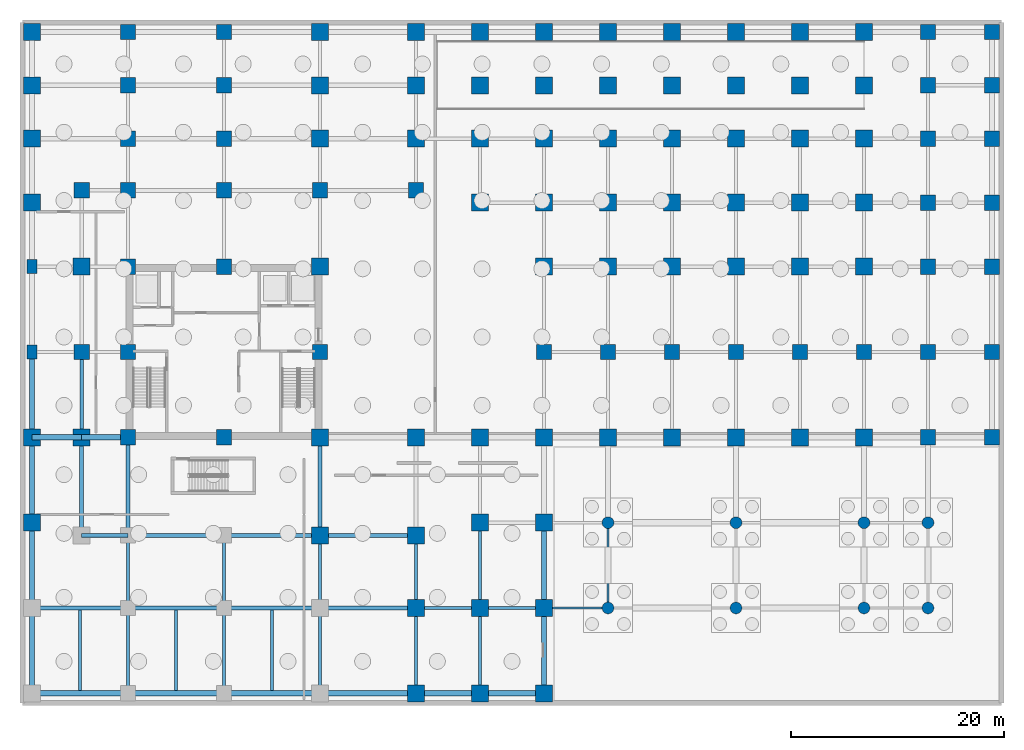
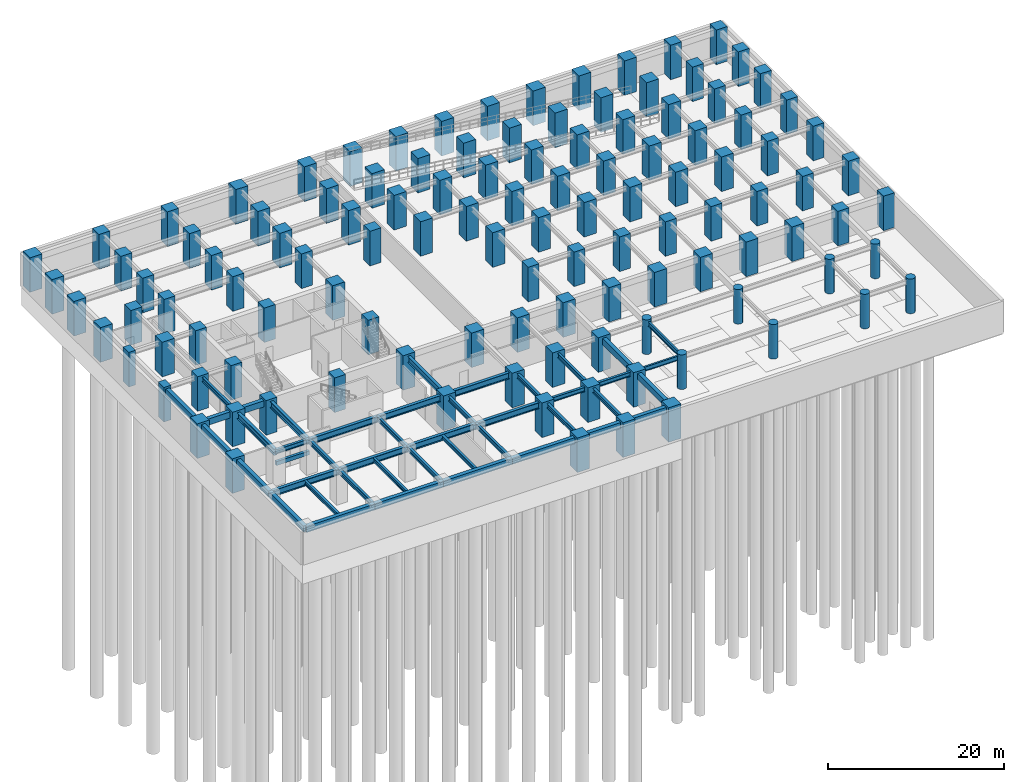
# One storey, part 2 of 11: 116 columns, 44 beams.
"""IFC4 building model written with IfcOpenShell, lengths in metres."""

from ifc_helpers import new_model, si_unit, direction, frame, origin, origin_2d, place, context, subcontext, project, spatial, rectangle, circle, i_section, extrude, source, transform, mapped, material, material_profile, profile_set, type_object, element, save


model = new_model("IFC4")

# Units and contexts
model_context = context("Model", 3, precision=1e-05, world=origin(), true_north=direction((0.0, 1.0)))
body_context = subcontext(model_context, "Body", "Model", "MODEL_VIEW")
ifc_project = project(units=[si_unit("LENGTHUNIT", "METRE"), si_unit("AREAUNIT", "SQUARE_METRE"), si_unit("VOLUMEUNIT", "CUBIC_METRE"), si_unit("PLANEANGLEUNIT", "RADIAN"), si_unit("MASSUNIT", "GRAM", prefix="KILO")], contexts=[model_context])

# Site, building, storey
site_placement = place(None, origin())
site = spatial("IfcSite", under=ifc_project, at=site_placement, CompositionType="ELEMENT")
building_placement = place(site_placement, origin())
building = spatial("IfcBuilding", under=site, at=building_placement, Name="Torre Montelarca", CompositionType="ELEMENT")
storey_placement = place(building_placement, frame((0.0, 0.0, -9.60009765625)))
storey = spatial("IfcBuildingStorey", under=building, at=storey_placement, Name="B2", CompositionType="ELEMENT", Elevation=-9.60009765625)

# Columns
ifc_material_1 = material(Name="Concrete C70/85", Category="concrete")
ifc_material_profile_1 = material_profile(ifc_material_1, rectangle(XDim=1.60009765625, YDim=1.60009765625, at=origin_2d()), Name="RC1600X1600", Category="concrete")
ifc_profile_set_1 = profile_set([ifc_material_profile_1], Name="Concrete C70/85")
column_type_1 = type_object("IfcColumnType", Name="COL-RC1600-EXT", PredefinedType="COLUMN", material=ifc_profile_set_1)
shared_shape_1 = source(origin(), body_context, "Body", "SweptSolid", [
    extrude(rectangle(XDim=1.60009765625, YDim=1.60009765625, at=origin_2d()), origin(), (0.0, 0.0, 1.0), 4.79931640625),
])
for number, where, z_axis, x_axis, name in (
    (1, (0.0, 16.0, 0.0), (0.0, 0.0, 1.0), (1.0, 0.0, 0.0), "B2 Perimeter Mega Column 1/C"),
    (2, (0.0, 24.0, 0.0), (0.0, 0.0, 1.0), (1.0, 0.0, 0.0), "B2 Perimeter Mega Column 1/D"),
    (3, (0.0, 46.0, 0.0), (0.0, 0.0, 1.0), (1.0, 0.0, 0.0), "B2 Perimeter Mega Column 1/G"),
    (4, (0.0, 52.0, 0.0), (0.0, 0.0, 1.0), (1.0, 0.0, 0.0), "B2 Perimeter Mega Column 1/H"),
    (5, (0.0, 57.0, 0.0), (0.0, 0.0, 1.0), (1.0, 0.0, 0.0), "B2 Perimeter Mega Column 1/J"),
    (6, (0.0, 62.0, 0.0), (0.0, 0.0, 1.0), (1.0, 0.0, 0.0), "B2 Perimeter Mega Column 1/K"),
    (7, (27.0, 62.0, 0.0), (0.0, 0.0, 1.0), (1.0, 0.0, 0.0), "B2 Perimeter Mega Column 4/K"),
    (8, (36.0, 0.0, 0.0), (0.0, 0.0, 1.0), (1.0, 0.0, 0.0), "B2 Perimeter Mega Column 5/A"),
    (9, (36.0, 62.0, 0.0), (0.0, 0.0, 1.0), (1.0, 0.0, 0.0), "B2 Perimeter Mega Column 5/K"),
    (10, (42.0, 0.0, 0.0), (0.0, 0.0, 1.0), (1.0, 0.0, 0.0), "B2 Perimeter Mega Column 6/A"),
    (11, (42.0, 62.0, 0.0), (0.0, 0.0, 1.0), (1.0, 0.0, 0.0), "B2 Perimeter Mega Column 6/K"),
    (12, (48.0, 0.0, 0.0), (0.0, 0.0, 1.0), (1.0, 0.0, 0.0), "B2 Perimeter Mega Column 7/A"),
    (13, (48.0, 62.0, 0.0), (0.0, 0.0, 1.0), (1.0, 0.0, 0.0), "B2 Perimeter Mega Column 7/K"),
    (14, (54.0, 62.0, 0.0), (0.0, 0.0, 1.0), (1.0, 0.0, 0.0), "B2 Perimeter Mega Column 8/K"),
    (15, (60.0, 62.0, 0.0), (0.0, 0.0, 1.0), (1.0, 0.0, 0.0), "B2 Perimeter Mega Column 9/K"),
    (16, (66.0, 62.0, 0.0), (0.0, 0.0, 1.0), (1.0, 0.0, 0.0), "B2 Perimeter Mega Column 10/K"),
    (17, (72.0, 62.0, 0.0), (0.0, 0.0, 1.0), (1.0, 0.0, 0.0), "B2 Perimeter Mega Column 11/K"),
    (18, (78.0, 62.0, 0.0), (0.0, 0.0, 1.0), (1.0, 0.0, 0.0), "B2 Perimeter Mega Column 12/K"),
):
    element("IfcColumn", number, at=place(storey_placement, frame(where, z_axis=z_axis, x_axis=x_axis)), inside=storey, type_object=column_type_1, Name=name, PredefinedType="COLUMN", context=body_context, shape_type="MappedRepresentation", body=[
        mapped(shared_shape_1, transform((0.0, 0.0, 0.0), scale=1.0)),
    ])
ifc_material_2 = material(Name="Concrete C55/67", Category="concrete")
ifc_material_profile_2 = material_profile(ifc_material_2, rectangle(XDim=0.89990234375, YDim=1.300048828125, at=origin_2d()), Name="RC1300X900", Category="concrete")
ifc_profile_set_2 = profile_set([ifc_material_profile_2], Name="Concrete C55/67")
column_type_2 = type_object("IfcColumnType", Name="COL-PIL1300-EXT", PredefinedType="PILASTER", material=ifc_profile_set_2)
shared_shape_2 = source(origin(), body_context, "Body", "SweptSolid", [
    extrude(rectangle(XDim=0.89990234375, YDim=1.300048828125, at=origin_2d()), origin(), (0.0, 0.0, 1.0), 4.79931640625),
])
for number, where, z_axis, x_axis, name in (
    (19, (0.0, 32.0, 0.0), (0.0, 0.0, 1.0), (1.0, 0.0, 0.0), "B2 Column 1/E"),
    (20, (0.0, 40.0, 0.0), (0.0, 0.0, 1.0), (1.0, 0.0, 0.0), "B2 Column 1/F"),
):
    element("IfcColumn", number, at=place(storey_placement, frame(where, z_axis=z_axis, x_axis=x_axis)), inside=storey, type_object=column_type_2, Name=name, PredefinedType="PILASTER", context=body_context, shape_type="MappedRepresentation", body=[
        mapped(shared_shape_2, transform((0.0, 0.0, 0.0), scale=1.0)),
    ])
ifc_material_profile_3 = material_profile(ifc_material_1, rectangle(XDim=1.449951171875, YDim=1.449951171875, at=origin_2d()), Name="RC1450X1450", Category="concrete")
ifc_profile_set_3 = profile_set([ifc_material_profile_3], Name="Concrete C70/85")
column_type_3 = type_object("IfcColumnType", Name="COL-RC1450-EXT", PredefinedType="COLUMN", material=ifc_profile_set_3)
shared_shape_3 = source(origin(), body_context, "Body", "SweptSolid", [
    extrude(rectangle(XDim=1.449951171875, YDim=1.449951171875, at=origin_2d()), origin(), (0.0, 0.0, 1.0), 4.79931640625),
])
for number, where, z_axis, x_axis, name in (
    (21, (9.0, 62.0, 0.0), (0.0, 0.0, 1.0), (1.0, 0.0, 0.0), "B2 Perimeter Mega Column 2/K"),
    (22, (18.0, 62.0, 0.0), (0.0, 0.0, 1.0), (1.0, 0.0, 0.0), "B2 Perimeter Mega Column 3/K"),
    (23, (84.0, 62.0, 0.0), (0.0, 0.0, 1.0), (1.0, 0.0, 0.0), "B2 Perimeter Mega Column 13/K"),
    (24, (90.0, 24.0, 0.0), (0.0, 0.0, 1.0), (1.0, 0.0, 0.0), "B2 Perimeter Mega Column 14/D"),
    (25, (90.0, 32.0, 0.0), (0.0, 0.0, 1.0), (1.0, 0.0, 0.0), "B2 Perimeter Mega Column 14/E"),
    (26, (90.0, 40.0, 0.0), (0.0, 0.0, 1.0), (1.0, 0.0, 0.0), "B2 Perimeter Mega Column 14/F"),
    (27, (90.0, 46.0, 0.0), (0.0, 0.0, 1.0), (1.0, 0.0, 0.0), "B2 Perimeter Mega Column 14/G"),
    (28, (90.0, 52.0, 0.0), (0.0, 0.0, 1.0), (1.0, 0.0, 0.0), "B2 Perimeter Mega Column 14/H"),
    (29, (90.0, 57.0, 0.0), (0.0, 0.0, 1.0), (1.0, 0.0, 0.0), "B2 Perimeter Mega Column 14/J"),
    (30, (90.0, 62.0, 0.0), (0.0, 0.0, 1.0), (1.0, 0.0, 0.0), "B2 Perimeter Mega Column 14/K"),
):
    element("IfcColumn", number, at=place(storey_placement, frame(where, z_axis=z_axis, x_axis=x_axis)), inside=storey, type_object=column_type_3, Name=name, PredefinedType="COLUMN", context=body_context, shape_type="MappedRepresentation", body=[
        mapped(shared_shape_3, transform((0.0, 0.0, 0.0), scale=1.0)),
    ])
ifc_material_profile_4 = material_profile(ifc_material_1, rectangle(XDim=1.449951171875, YDim=1.449951171875, at=origin_2d()), Name="RC1450X1450", Category="concrete")
ifc_profile_set_4 = profile_set([ifc_material_profile_4], Name="Concrete C70/85")
column_type_4 = type_object("IfcColumnType", Name="COL-RC1450", PredefinedType="COLUMN", material=ifc_profile_set_4)
shared_shape_4 = source(origin(), body_context, "Body", "SweptSolid", [
    extrude(rectangle(XDim=1.449951171875, YDim=1.449951171875, at=origin_2d()), origin(), (0.0, 0.0, 1.0), 4.79931640625),
])
for number, where, z_axis, x_axis, name in (
    (31, (9.0, 24.0, 0.0), (0.0, 0.0, 1.0), (1.0, 0.0, 0.0), "B2 Column 2/D"),
    (32, (9.0, 32.0, 0.0), (0.0, 0.0, 1.0), (1.0, 0.0, 0.0), "B2 Column 2/E"),
    (33, (9.0, 40.0, 0.0), (0.0, 0.0, 1.0), (1.0, 0.0, 0.0), "B2 Column 2/F"),
    (34, (9.0, 52.0, 0.0), (0.0, 0.0, 1.0), (1.0, 0.0, 0.0), "B2 Column 2/H"),
    (35, (9.0, 57.0, 0.0), (0.0, 0.0, 1.0), (1.0, 0.0, 0.0), "B2 Column 2/J"),
    (36, (9.0, 47.14990234375, 0.0), (0.0, 0.0, 1.0), (1.0, 0.0, 0.0), "B2 Column 2/GN"),
    (37, (18.0, 24.0, 0.0), (0.0, 0.0, 1.0), (1.0, 0.0, 0.0), "B2 Column 3/D"),
    (38, (18.0, 40.0, 0.0), (0.0, 0.0, 1.0), (1.0, 0.0, 0.0), "B2 Column 3/F"),
    (39, (18.0, 52.0, 0.0), (0.0, 0.0, 1.0), (1.0, 0.0, 0.0), "B2 Column 3/H"),
    (40, (18.0, 57.0, 0.0), (0.0, 0.0, 1.0), (1.0, 0.0, 0.0), "B2 Column 3/J"),
    (41, (18.0, 47.14990234375, 0.0), (0.0, 0.0, 1.0), (1.0, 0.0, 0.0), "B2 Column 3/GN"),
    (42, (27.0, 32.0, 0.0), (0.0, 0.0, 1.0), (1.0, 0.0, 0.0), "B2 Column 4/E"),
    (43, (27.0, 47.14990234375, 0.0), (0.0, 0.0, 1.0), (1.0, 0.0, 0.0), "B2 Column 4/GN"),
    (44, (36.0, 47.14990234375, 0.0), (0.0, 0.0, 1.0), (1.0, 0.0, 0.0), "B2 Column 5/GN"),
    (45, (48.0, 32.0, 0.0), (0.0, 0.0, 1.0), (1.0, 0.0, 0.0), "B2 Column 7/E"),
    (46, (54.0, 32.0, 0.0), (0.0, 0.0, 1.0), (1.0, 0.0, 0.0), "B2 Column 8/E"),
    (47, (60.0, 32.0, 0.0), (0.0, 0.0, 1.0), (1.0, 0.0, 0.0), "B2 Column 9/E"),
    (48, (66.0, 32.0, 0.0), (0.0, 0.0, 1.0), (1.0, 0.0, 0.0), "B2 Column 10/E"),
    (49, (72.0, 32.0, 0.0), (0.0, 0.0, 1.0), (1.0, 0.0, 0.0), "B2 Column 11/E"),
    (50, (78.0, 32.0, 0.0), (0.0, 0.0, 1.0), (1.0, 0.0, 0.0), "B2 Column 12/E"),
    (51, (84.0, 24.0, 0.0), (0.0, 0.0, 1.0), (1.0, 0.0, 0.0), "B2 Column 13/D"),
    (52, (84.0, 32.0, 0.0), (0.0, 0.0, 1.0), (1.0, 0.0, 0.0), "B2 Column 13/E"),
    (53, (84.0, 40.0, 0.0), (0.0, 0.0, 1.0), (1.0, 0.0, 0.0), "B2 Column 13/F"),
    (54, (84.0, 46.0, 0.0), (0.0, 0.0, 1.0), (1.0, 0.0, 0.0), "B2 Column 13/G"),
    (55, (84.0, 52.0, 0.0), (0.0, 0.0, 1.0), (1.0, 0.0, 0.0), "B2 Column 13/H"),
    (56, (84.0, 57.0, 0.0), (0.0, 0.0, 1.0), (1.0, 0.0, 0.0), "B2 Column 13/J"),
    (57, (4.64990234375, 32.0, 0.0), (0.0, 0.0, 1.0), (1.0, 0.0, 0.0), "B2 Column 1W/E"),
    (58, (4.64990234375, 47.14990234375, 0.0), (0.0, 0.0, 1.0), (1.0, 0.0, 0.0), "B2 Column 1W/GN"),
):
    element("IfcColumn", number, at=place(storey_placement, frame(where, z_axis=z_axis, x_axis=x_axis)), inside=storey, type_object=column_type_4, Name=name, PredefinedType="COLUMN", context=body_context, shape_type="MappedRepresentation", body=[
        mapped(shared_shape_4, transform((0.0, 0.0, 0.0), scale=1.0)),
    ])
ifc_material_profile_5 = material_profile(ifc_material_1, rectangle(XDim=1.60009765625, YDim=1.60009765625, at=origin_2d()), Name="RC1600X1600", Category="concrete")
ifc_profile_set_5 = profile_set([ifc_material_profile_5], Name="Concrete C70/85")
column_type_5 = type_object("IfcColumnType", Name="COL-RC1600", PredefinedType="COLUMN", material=ifc_profile_set_5)
shared_shape_5 = source(origin(), body_context, "Body", "SweptSolid", [
    extrude(rectangle(XDim=1.60009765625, YDim=1.60009765625, at=origin_2d()), origin(), (0.0, 0.0, 1.0), 4.79931640625),
])
for number, where, z_axis, x_axis, name in (
    (59, (27.0, 24.0, 0.0), (0.0, 0.0, 1.0), (1.0, 0.0, 0.0), "B2 Column 4/D"),
    (60, (27.0, 40.0, 0.0), (0.0, 0.0, 1.0), (1.0, 0.0, 0.0), "B2 Column 4/F"),
    (61, (27.0, 52.0, 0.0), (0.0, 0.0, 1.0), (1.0, 0.0, 0.0), "B2 Column 4/H"),
    (62, (27.0, 57.0, 0.0), (0.0, 0.0, 1.0), (1.0, 0.0, 0.0), "B2 Column 4/J"),
    (63, (27.0, 14.800048828125, 0.0), (0.0, 0.0, 1.0), (1.0, 0.0, 0.0), "B2 Column 4/CS"),
    (64, (36.0, 8.0, 0.0), (0.0, 0.0, 1.0), (1.0, 0.0, 0.0), "B2 Column 5/B"),
    (65, (36.0, 24.0, 0.0), (0.0, 0.0, 1.0), (1.0, 0.0, 0.0), "B2 Column 5/D"),
    (66, (36.0, 52.0, 0.0), (0.0, 0.0, 1.0), (1.0, 0.0, 0.0), "B2 Column 5/H"),
    (67, (36.0, 57.0, 0.0), (0.0, 0.0, 1.0), (1.0, 0.0, 0.0), "B2 Column 5/J"),
    (68, (36.0, 14.800048828125, 0.0), (0.0, 0.0, 1.0), (1.0, 0.0, 0.0), "B2 Column 5/CS"),
    (69, (42.0, 8.0, 0.0), (0.0, 0.0, 1.0), (1.0, 0.0, 0.0), "B2 Column 6/B"),
    (70, (42.0, 16.0, 0.0), (0.0, 0.0, 1.0), (1.0, 0.0, 0.0), "B2 Column 6/C"),
    (71, (42.0, 24.0, 0.0), (0.0, 0.0, 1.0), (1.0, 0.0, 0.0), "B2 Column 6/D"),
    (72, (42.0, 46.0, 0.0), (0.0, 0.0, 1.0), (1.0, 0.0, 0.0), "B2 Column 6/G"),
    (73, (42.0, 52.0, 0.0), (0.0, 0.0, 1.0), (1.0, 0.0, 0.0), "B2 Column 6/H"),
    (74, (42.0, 57.0, 0.0), (0.0, 0.0, 1.0), (1.0, 0.0, 0.0), "B2 Column 6/J"),
    (75, (48.0, 8.0, 0.0), (0.0, 0.0, 1.0), (1.0, 0.0, 0.0), "B2 Column 7/B"),
    (76, (48.0, 16.0, 0.0), (0.0, 0.0, 1.0), (1.0, 0.0, 0.0), "B2 Column 7/C"),
    (77, (48.0, 24.0, 0.0), (0.0, 0.0, 1.0), (1.0, 0.0, 0.0), "B2 Column 7/D"),
    (78, (48.0, 40.0, 0.0), (0.0, 0.0, 1.0), (1.0, 0.0, 0.0), "B2 Column 7/F"),
    (79, (48.0, 46.0, 0.0), (0.0, 0.0, 1.0), (1.0, 0.0, 0.0), "B2 Column 7/G"),
    (80, (48.0, 52.0, 0.0), (0.0, 0.0, 1.0), (1.0, 0.0, 0.0), "B2 Column 7/H"),
    (81, (48.0, 57.0, 0.0), (0.0, 0.0, 1.0), (1.0, 0.0, 0.0), "B2 Column 7/J"),
    (82, (54.0, 24.0, 0.0), (0.0, 0.0, 1.0), (1.0, 0.0, 0.0), "B2 Column 8/D"),
    (83, (54.0, 40.0, 0.0), (0.0, 0.0, 1.0), (1.0, 0.0, 0.0), "B2 Column 8/F"),
    (84, (54.0, 46.0, 0.0), (0.0, 0.0, 1.0), (1.0, 0.0, 0.0), "B2 Column 8/G"),
    (85, (54.0, 52.0, 0.0), (0.0, 0.0, 1.0), (1.0, 0.0, 0.0), "B2 Column 8/H"),
    (86, (54.0, 57.0, 0.0), (0.0, 0.0, 1.0), (1.0, 0.0, 0.0), "B2 Column 8/J"),
    (87, (60.0, 24.0, 0.0), (0.0, 0.0, 1.0), (1.0, 0.0, 0.0), "B2 Column 9/D"),
    (88, (60.0, 40.0, 0.0), (0.0, 0.0, 1.0), (1.0, 0.0, 0.0), "B2 Column 9/F"),
    (89, (60.0, 46.0, 0.0), (0.0, 0.0, 1.0), (1.0, 0.0, 0.0), "B2 Column 9/G"),
    (90, (60.0, 52.0, 0.0), (0.0, 0.0, 1.0), (1.0, 0.0, 0.0), "B2 Column 9/H"),
    (91, (60.0, 57.0, 0.0), (0.0, 0.0, 1.0), (1.0, 0.0, 0.0), "B2 Column 9/J"),
    (92, (66.0, 24.0, 0.0), (0.0, 0.0, 1.0), (1.0, 0.0, 0.0), "B2 Column 10/D"),
    (93, (66.0, 40.0, 0.0), (0.0, 0.0, 1.0), (1.0, 0.0, 0.0), "B2 Column 10/F"),
    (94, (66.0, 46.0, 0.0), (0.0, 0.0, 1.0), (1.0, 0.0, 0.0), "B2 Column 10/G"),
    (95, (66.0, 52.0, 0.0), (0.0, 0.0, 1.0), (1.0, 0.0, 0.0), "B2 Column 10/H"),
    (96, (66.0, 57.0, 0.0), (0.0, 0.0, 1.0), (1.0, 0.0, 0.0), "B2 Column 10/J"),
    (97, (72.0, 24.0, 0.0), (0.0, 0.0, 1.0), (1.0, 0.0, 0.0), "B2 Column 11/D"),
    (98, (72.0, 40.0, 0.0), (0.0, 0.0, 1.0), (1.0, 0.0, 0.0), "B2 Column 11/F"),
    (99, (72.0, 46.0, 0.0), (0.0, 0.0, 1.0), (1.0, 0.0, 0.0), "B2 Column 11/G"),
    (100, (72.0, 52.0, 0.0), (0.0, 0.0, 1.0), (1.0, 0.0, 0.0), "B2 Column 11/H"),
    (101, (72.0, 57.0, 0.0), (0.0, 0.0, 1.0), (1.0, 0.0, 0.0), "B2 Column 11/J"),
    (102, (78.0, 24.0, 0.0), (0.0, 0.0, 1.0), (1.0, 0.0, 0.0), "B2 Column 12/D"),
    (103, (78.0, 40.0, 0.0), (0.0, 0.0, 1.0), (1.0, 0.0, 0.0), "B2 Column 12/F"),
    (104, (78.0, 46.0, 0.0), (0.0, 0.0, 1.0), (1.0, 0.0, 0.0), "B2 Column 12/G"),
    (105, (78.0, 52.0, 0.0), (0.0, 0.0, 1.0), (1.0, 0.0, 0.0), "B2 Column 12/H"),
    (106, (78.0, 57.0, 0.0), (0.0, 0.0, 1.0), (1.0, 0.0, 0.0), "B2 Column 12/J"),
    (107, (4.64990234375, 24.0, 0.0), (0.0, 0.0, 1.0), (1.0, 0.0, 0.0), "B2 Column 1W/D"),
    (108, (4.64990234375, 40.0, 0.0), (0.0, 0.0, 1.0), (1.0, 0.0, 0.0), "B2 Column 1W/F"),
):
    element("IfcColumn", number, at=place(storey_placement, frame(where, z_axis=z_axis, x_axis=x_axis)), inside=storey, type_object=column_type_5, Name=name, PredefinedType="COLUMN", context=body_context, shape_type="MappedRepresentation", body=[
        mapped(shared_shape_5, transform((0.0, 0.0, 0.0), scale=1.0)),
    ])
ifc_material_profile_6 = material_profile(ifc_material_2, circle(Radius=0.550048828125, at=origin_2d()), Name="RCC1100", Category="concrete")
ifc_profile_set_6 = profile_set([ifc_material_profile_6], Name="Concrete C55/67")
column_type_6 = type_object("IfcColumnType", Name="COL-PIER1100", PredefinedType="USERDEFINED", material=ifc_profile_set_6)
shared_shape_6 = source(origin(), body_context, "Body", "SweptSolid", [
    extrude(circle(Radius=0.550048828125, at=origin_2d()), origin(), (0.0, 0.0, 1.0), 4.79931640625),
])
for number, where, z_axis, x_axis, name in (
    (109, (54.0, 8.0, 0.0), (0.0, 0.0, 1.0), (1.0, 0.0, 0.0), "B2 Plaza Colonnade Pier P01"),
    (110, (66.0, 8.0, 0.0), (0.0, 0.0, 1.0), (1.0, 0.0, 0.0), "B2 Plaza Colonnade Pier P02"),
    (111, (78.0, 8.0, 0.0), (0.0, 0.0, 1.0), (1.0, 0.0, 0.0), "B2 Plaza Colonnade Pier P03"),
    (112, (84.0, 8.0, 0.0), (0.0, 0.0, 1.0), (1.0, 0.0, 0.0), "B2 Plaza Colonnade Pier P04"),
    (113, (54.0, 16.0, 0.0), (0.0, 0.0, 1.0), (1.0, 0.0, 0.0), "B2 Plaza Colonnade Pier P05"),
    (114, (66.0, 16.0, 0.0), (0.0, 0.0, 1.0), (1.0, 0.0, 0.0), "B2 Plaza Colonnade Pier P06"),
    (115, (78.0, 16.0, 0.0), (0.0, 0.0, 1.0), (1.0, 0.0, 0.0), "B2 Plaza Colonnade Pier P07"),
    (116, (84.0, 16.0, 0.0), (0.0, 0.0, 1.0), (1.0, 0.0, 0.0), "B2 Plaza Colonnade Pier P08"),
):
    element("IfcColumn", number, at=place(storey_placement, frame(where, z_axis=z_axis, x_axis=x_axis)), inside=storey, type_object=column_type_6, Name=name, ObjectType="PIER", PredefinedType="USERDEFINED", context=body_context, shape_type="MappedRepresentation", body=[
        mapped(shared_shape_6, transform((0.0, 0.0, 0.0), scale=1.0)),
    ])

# Beams
ifc_material_profile_7 = material_profile(ifc_material_2, rectangle(XDim=0.5, YDim=0.85009765625, at=origin_2d()), Name="RCB500X850", Category="concrete")
ifc_profile_set_7 = profile_set([ifc_material_profile_7], Name="Concrete C55/67")
beam_type_1 = type_object("IfcBeamType", Name="BM-SP-RC850-EXT", PredefinedType="SPANDREL", material=ifc_profile_set_7)
shared_shape_7 = source(origin(), body_context, "Body", "SweptSolid", [
    extrude(rectangle(XDim=0.5, YDim=0.85009765625, at=origin_2d()), origin(), (0.0, 0.0, 1.0), 9.0),
])
for number, where, z_axis, x_axis, name in (
    (117, (0.0, 0.0, 4.09521484375), (1.0, 0.0, 0.0), (0.0, 1.0, 0.0), "B2 Grid Girder X 0.0-9.0 at Y=0.0"),
    (118, (9.0, 0.0, 4.09521484375), (1.0, 0.0, 0.0), (0.0, 1.0, 0.0), "B2 Grid Girder X 9.0-18.0 at Y=0.0"),
    (119, (18.0, 0.0, 4.09521484375), (1.0, 0.0, 0.0), (0.0, 1.0, 0.0), "B2 Grid Girder X 18.0-27.0 at Y=0.0"),
    (120, (27.0, 0.0, 4.09521484375), (1.0, 0.0, 0.0), (0.0, 1.0, 0.0), "B2 Grid Girder X 27.0-36.0 at Y=0.0"),
):
    element("IfcBeam", number, at=place(storey_placement, frame(where, z_axis=z_axis, x_axis=x_axis)), inside=storey, type_object=beam_type_1, Name=name, PredefinedType="SPANDREL", context=body_context, shape_type="MappedRepresentation", body=[
        mapped(shared_shape_7, transform((0.0, 0.0, 0.0), scale=1.0)),
    ])
shared_shape_8 = source(origin(), body_context, "Body", "SweptSolid", [
    extrude(rectangle(XDim=0.5, YDim=0.85009765625, at=origin_2d()), origin(), (0.0, 0.0, 1.0), 6.0),
])
for number, where, z_axis, x_axis, name in (
    (121, (36.0, 0.0, 4.09521484375), (1.0, 0.0, 0.0), (0.0, 1.0, 0.0), "B2 Grid Girder X 36.0-42.0 at Y=0.0"),
    (122, (42.0, 0.0, 4.09521484375), (1.0, 0.0, 0.0), (0.0, 1.0, 0.0), "B2 Grid Girder X 42.0-48.0 at Y=0.0"),
):
    element("IfcBeam", number, at=place(storey_placement, frame(where, z_axis=z_axis, x_axis=x_axis)), inside=storey, type_object=beam_type_1, Name=name, PredefinedType="SPANDREL", context=body_context, shape_type="MappedRepresentation", body=[
        mapped(shared_shape_8, transform((0.0, 0.0, 0.0), scale=1.0)),
    ])
ifc_material_3 = material(Name="Steel ASTM A992 Grade 50", Category="steel")
ifc_material_profile_8 = material_profile(ifc_material_3, i_section(OverallWidth=0.39990234375, OverallDepth=0.85498046875, WebThickness=0.018310546875, FlangeThickness=0.029296875, FilletRadius=0.02001953125, at=origin_2d()), Name="W840X299", Category="steel")
ifc_profile_set_8 = profile_set([ifc_material_profile_8], Name="Steel ASTM A992 Grade 50")
beam_type_2 = type_object("IfcBeamType", Name="BM-G-W840", PredefinedType="BEAM", material=ifc_profile_set_8)
shared_shape_9 = source(origin(), body_context, "Body", "SweptSolid", [
    extrude(i_section(OverallWidth=0.39990234375, OverallDepth=0.85498046875, WebThickness=0.018310546875, FlangeThickness=0.029296875, FilletRadius=0.02001953125, at=origin_2d()), origin(), (0.0, 0.0, 1.0), 9.0),
])
for number, where, z_axis, x_axis, name in (
    (123, (0.0, 8.0, 4.092041015625), (1.0, 0.0, 0.0), (0.0, 1.0, 0.0), "B2 Grid Girder X 0.0-9.0 at Y=8.0"),
    (124, (9.0, 8.0, 4.092041015625), (1.0, 0.0, 0.0), (0.0, 1.0, 0.0), "B2 Grid Girder X 9.0-18.0 at Y=8.0"),
    (125, (18.0, 8.0, 4.092041015625), (1.0, 0.0, 0.0), (0.0, 1.0, 0.0), "B2 Grid Girder X 18.0-27.0 at Y=8.0"),
    (126, (27.0, 8.0, 4.092041015625), (1.0, 0.0, 0.0), (0.0, 1.0, 0.0), "B2 Grid Girder X 27.0-36.0 at Y=8.0"),
    (127, (9.0, 14.800048828125, 4.092041015625), (1.0, 0.0, 0.0), (0.0, 1.0, 0.0), "B2 Grid Girder X 9.0-18.0 at Y=14.8"),
    (128, (18.0, 14.800048828125, 4.092041015625), (1.0, 0.0, 0.0), (0.0, 1.0, 0.0), "B2 Grid Girder X 18.0-27.0 at Y=14.8"),
    (129, (27.0, 14.800048828125, 4.092041015625), (1.0, 0.0, 0.0), (0.0, 1.0, 0.0), "B2 Grid Girder X 27.0-36.0 at Y=14.8"),
):
    element("IfcBeam", number, at=place(storey_placement, frame(where, z_axis=z_axis, x_axis=x_axis)), inside=storey, type_object=beam_type_2, Name=name, PredefinedType="BEAM", context=body_context, shape_type="MappedRepresentation", body=[
        mapped(shared_shape_9, transform((0.0, 0.0, 0.0), scale=1.0)),
    ])
ifc_material_profile_9 = material_profile(ifc_material_3, i_section(OverallWidth=0.326904296875, OverallDepth=0.6220703125, WebThickness=0.015380859375, FlangeThickness=0.0244140625, FilletRadius=0.014892578125, at=origin_2d()), Name="W610X195", Category="steel")
ifc_profile_set_9 = profile_set([ifc_material_profile_9], Name="Steel ASTM A992 Grade 50")
beam_type_3 = type_object("IfcBeamType", Name="BM-G-W610H", PredefinedType="BEAM", material=ifc_profile_set_9)
shared_shape_10 = source(origin(), body_context, "Body", "SweptSolid", [
    extrude(i_section(OverallWidth=0.326904296875, OverallDepth=0.6220703125, WebThickness=0.015380859375, FlangeThickness=0.0244140625, FilletRadius=0.014892578125, at=origin_2d()), origin(), (0.0, 0.0, 1.0), 6.0),
])
for number, where, z_axis, x_axis, name in (
    (130, (36.0, 8.0, 4.208984375), (1.0, 0.0, 0.0), (0.0, 1.0, 0.0), "B2 Grid Girder X 36.0-42.0 at Y=8.0"),
    (131, (42.0, 8.0, 4.208984375), (1.0, 0.0, 0.0), (0.0, 1.0, 0.0), "B2 Grid Girder X 42.0-48.0 at Y=8.0"),
):
    element("IfcBeam", number, at=place(storey_placement, frame(where, z_axis=z_axis, x_axis=x_axis)), inside=storey, type_object=beam_type_3, Name=name, PredefinedType="BEAM", context=body_context, shape_type="MappedRepresentation", body=[
        mapped(shared_shape_10, transform((0.0, 0.0, 0.0), scale=1.0)),
    ])
ifc_material_profile_10 = material_profile(ifc_material_3, i_section(OverallWidth=0.22998046875, OverallDepth=0.616943359375, WebThickness=0.01318359375, FlangeThickness=0.022216796875, FilletRadius=0.014892578125, at=origin_2d()), Name="W610X140", Category="steel")
ifc_profile_set_10 = profile_set([ifc_material_profile_10], Name="Steel ASTM A992 Grade 50")
beam_type_4 = type_object("IfcBeamType", Name="BM-G-W610", PredefinedType="BEAM", material=ifc_profile_set_10)
shared_shape_11 = source(origin(), body_context, "Body", "SweptSolid", [
    extrude(i_section(OverallWidth=0.22998046875, OverallDepth=0.616943359375, WebThickness=0.01318359375, FlangeThickness=0.022216796875, FilletRadius=0.014892578125, at=origin_2d()), origin(), (0.0, 0.0, 1.0), 6.0),
])
beam_1_placement = place(storey_placement, frame((48.0, 8.0, 4.211181640625), z_axis=(1.0, 0.0, 0.0), x_axis=(0.0, 1.0, 0.0)))
element("IfcBeam", 132, at=beam_1_placement, inside=storey, type_object=beam_type_4, Name="B2 Grid Girder X 48.0-54.0 at Y=8.0", PredefinedType="BEAM", context=body_context, shape_type="MappedRepresentation", body=[
    mapped(shared_shape_11, transform((0.0, 0.0, 0.0), scale=1.0)),
])
shared_shape_12 = source(origin(), body_context, "Body", "SweptSolid", [
    extrude(i_section(OverallWidth=0.326904296875, OverallDepth=0.6220703125, WebThickness=0.015380859375, FlangeThickness=0.0244140625, FilletRadius=0.014892578125, at=origin_2d()), origin(), (0.0, 0.0, 1.0), 4.35009765625),
])
beam_2_placement = place(storey_placement, frame((4.64990234375, 14.800048828125, 4.208984375), z_axis=(1.0, 0.0, 0.0), x_axis=(0.0, 1.0, 0.0)))
element("IfcBeam", 133, at=beam_2_placement, inside=storey, type_object=beam_type_3, Name="B2 Grid Girder X 4.7-9.0 at Y=14.8", PredefinedType="BEAM", context=body_context, shape_type="MappedRepresentation", body=[
    mapped(shared_shape_12, transform((0.0, 0.0, 0.0), scale=1.0)),
])
shared_shape_13 = source(origin(), body_context, "Body", "SweptSolid", [
    extrude(rectangle(XDim=0.5, YDim=0.85009765625, at=origin_2d()), origin(), (0.0, 0.0, 1.0), 4.64990234375),
])
beam_3_placement = place(storey_placement, frame((0.0, 24.0, 4.09521484375), z_axis=(1.0, 0.0, 0.0), x_axis=(0.0, 1.0, 0.0)))
element("IfcBeam", 134, at=beam_3_placement, inside=storey, type_object=beam_type_1, Name="B2 Grid Girder X 0.0-4.7 at Y=24.0", PredefinedType="SPANDREL", context=body_context, shape_type="MappedRepresentation", body=[
    mapped(shared_shape_13, transform((0.0, 0.0, 0.0), scale=1.0)),
])
shared_shape_14 = source(origin(), body_context, "Body", "SweptSolid", [
    extrude(rectangle(XDim=0.5, YDim=0.85009765625, at=origin_2d()), origin(), (0.0, 0.0, 1.0), 4.35009765625),
])
beam_4_placement = place(storey_placement, frame((4.64990234375, 24.0, 4.09521484375), z_axis=(1.0, 0.0, 0.0), x_axis=(0.0, 1.0, 0.0)))
element("IfcBeam", 135, at=beam_4_placement, inside=storey, type_object=beam_type_1, Name="B2 Grid Girder X 4.7-9.0 at Y=24.0", PredefinedType="SPANDREL", context=body_context, shape_type="MappedRepresentation", body=[
    mapped(shared_shape_14, transform((0.0, 0.0, 0.0), scale=1.0)),
])
shared_shape_15 = source(origin(), body_context, "Body", "SweptSolid", [
    extrude(rectangle(XDim=0.5, YDim=0.85009765625, at=origin_2d()), origin(), (0.0, 0.0, 1.0), 8.0),
])
for number, where, z_axis, x_axis, name in (
    (136, (0.0, 0.0, 4.09521484375), (0.0, 1.0, 0.0), (-1.0, 0.0, 0.0), "B2 Grid Girder Y 0.0-8.0 at X=0.0"),
    (137, (0.0, 8.0, 4.09521484375), (0.0, 1.0, 0.0), (-1.0, 0.0, 0.0), "B2 Grid Girder Y 8.0-16.0 at X=0.0"),
    (138, (0.0, 16.0, 4.09521484375), (0.0, 1.0, 0.0), (-1.0, 0.0, 0.0), "B2 Grid Girder Y 16.0-24.0 at X=0.0"),
    (139, (0.0, 24.0, 4.09521484375), (0.0, 1.0, 0.0), (-1.0, 0.0, 0.0), "B2 Grid Girder Y 24.0-32.0 at X=0.0"),
    (140, (48.0, 0.0, 4.09521484375), (0.0, 1.0, 0.0), (-1.0, 0.0, 0.0), "B2 Grid Girder Y 0.0-8.0 at X=48.0"),
    (141, (48.0, 8.0, 4.09521484375), (0.0, 1.0, 0.0), (-1.0, 0.0, 0.0), "B2 Grid Girder Y 8.0-16.0 at X=48.0"),
):
    element("IfcBeam", number, at=place(storey_placement, frame(where, z_axis=z_axis, x_axis=x_axis)), inside=storey, type_object=beam_type_1, Name=name, PredefinedType="SPANDREL", context=body_context, shape_type="MappedRepresentation", body=[
        mapped(shared_shape_15, transform((0.0, 0.0, 0.0), scale=1.0)),
    ])
shared_shape_16 = source(origin(), body_context, "Body", "SweptSolid", [
    extrude(i_section(OverallWidth=0.39990234375, OverallDepth=0.85498046875, WebThickness=0.018310546875, FlangeThickness=0.029296875, FilletRadius=0.02001953125, at=origin_2d()), origin(), (0.0, 0.0, 1.0), 9.199951171875),
])
for number, where, z_axis, x_axis, name in (
    (142, (4.64990234375, 14.800048828125, 4.092041015625), (0.0, 1.0, 0.0), (-1.0, 0.0, 0.0), "B2 Grid Girder Y 14.8-24.0 at X=4.7"),
    (143, (9.0, 14.800048828125, 4.092041015625), (0.0, 1.0, 0.0), (-1.0, 0.0, 0.0), "B2 Grid Girder Y 14.8-24.0 at X=9.0"),
    (144, (27.0, 14.800048828125, 4.092041015625), (0.0, 1.0, 0.0), (-1.0, 0.0, 0.0), "B2 Grid Girder Y 14.8-24.0 at X=27.0"),
):
    element("IfcBeam", number, at=place(storey_placement, frame(where, z_axis=z_axis, x_axis=x_axis)), inside=storey, type_object=beam_type_2, Name=name, PredefinedType="BEAM", context=body_context, shape_type="MappedRepresentation", body=[
        mapped(shared_shape_16, transform((0.0, 0.0, 0.0), scale=1.0)),
    ])
shared_shape_17 = source(origin(), body_context, "Body", "SweptSolid", [
    extrude(i_section(OverallWidth=0.326904296875, OverallDepth=0.6220703125, WebThickness=0.015380859375, FlangeThickness=0.0244140625, FilletRadius=0.014892578125, at=origin_2d()), origin(), (0.0, 0.0, 1.0), 8.0),
])
for number, where, z_axis, x_axis, name in (
    (145, (4.64990234375, 24.0, 4.208984375), (0.0, 1.0, 0.0), (-1.0, 0.0, 0.0), "B2 Grid Girder Y 24.0-32.0 at X=4.7"),
    (146, (9.0, 0.0, 4.208984375), (0.0, 1.0, 0.0), (-1.0, 0.0, 0.0), "B2 Grid Girder Y 0.0-8.0 at X=9.0"),
    (147, (18.0, 0.0, 4.208984375), (0.0, 1.0, 0.0), (-1.0, 0.0, 0.0), "B2 Grid Girder Y 0.0-8.0 at X=18.0"),
    (148, (27.0, 0.0, 4.208984375), (0.0, 1.0, 0.0), (-1.0, 0.0, 0.0), "B2 Grid Girder Y 0.0-8.0 at X=27.0"),
    (149, (36.0, 0.0, 4.208984375), (0.0, 1.0, 0.0), (-1.0, 0.0, 0.0), "B2 Grid Girder Y 0.0-8.0 at X=36.0"),
    (150, (42.0, 0.0, 4.208984375), (0.0, 1.0, 0.0), (-1.0, 0.0, 0.0), "B2 Grid Girder Y 0.0-8.0 at X=42.0"),
    (151, (42.0, 8.0, 4.208984375), (0.0, 1.0, 0.0), (-1.0, 0.0, 0.0), "B2 Grid Girder Y 8.0-16.0 at X=42.0"),
):
    element("IfcBeam", number, at=place(storey_placement, frame(where, z_axis=z_axis, x_axis=x_axis)), inside=storey, type_object=beam_type_3, Name=name, PredefinedType="BEAM", context=body_context, shape_type="MappedRepresentation", body=[
        mapped(shared_shape_17, transform((0.0, 0.0, 0.0), scale=1.0)),
    ])
shared_shape_18 = source(origin(), body_context, "Body", "SweptSolid", [
    extrude(i_section(OverallWidth=0.326904296875, OverallDepth=0.6220703125, WebThickness=0.015380859375, FlangeThickness=0.0244140625, FilletRadius=0.014892578125, at=origin_2d()), origin(), (0.0, 0.0, 1.0), 6.800048828125),
])
for number, where, z_axis, x_axis, name in (
    (152, (9.0, 8.0, 4.208984375), (0.0, 1.0, 0.0), (-1.0, 0.0, 0.0), "B2 Grid Girder Y 8.0-14.8 at X=9.0"),
    (153, (18.0, 8.0, 4.208984375), (0.0, 1.0, 0.0), (-1.0, 0.0, 0.0), "B2 Grid Girder Y 8.0-14.8 at X=18.0"),
    (154, (27.0, 8.0, 4.208984375), (0.0, 1.0, 0.0), (-1.0, 0.0, 0.0), "B2 Grid Girder Y 8.0-14.8 at X=27.0"),
    (155, (36.0, 8.0, 4.208984375), (0.0, 1.0, 0.0), (-1.0, 0.0, 0.0), "B2 Grid Girder Y 8.0-14.8 at X=36.0"),
):
    element("IfcBeam", number, at=place(storey_placement, frame(where, z_axis=z_axis, x_axis=x_axis)), inside=storey, type_object=beam_type_3, Name=name, PredefinedType="BEAM", context=body_context, shape_type="MappedRepresentation", body=[
        mapped(shared_shape_18, transform((0.0, 0.0, 0.0), scale=1.0)),
    ])
shared_shape_19 = source(origin(), body_context, "Body", "SweptSolid", [
    extrude(i_section(OverallWidth=0.22998046875, OverallDepth=0.616943359375, WebThickness=0.01318359375, FlangeThickness=0.022216796875, FilletRadius=0.014892578125, at=origin_2d()), origin(), (0.0, 0.0, 1.0), 8.0),
])
beam_5_placement = place(storey_placement, frame((54.0, 8.0, 4.211181640625), z_axis=(0.0, 1.0, 0.0), x_axis=(-1.0, 0.0, 0.0)))
element("IfcBeam", 156, at=beam_5_placement, inside=storey, type_object=beam_type_4, Name="B2 Grid Girder Y 8.0-16.0 at X=54.0", PredefinedType="BEAM", context=body_context, shape_type="MappedRepresentation", body=[
    mapped(shared_shape_19, transform((0.0, 0.0, 0.0), scale=1.0)),
])
ifc_material_profile_11 = material_profile(ifc_material_3, i_section(OverallWidth=0.31201171875, OverallDepth=0.54296875, WebThickness=0.0126953125, FlangeThickness=0.020263671875, FilletRadius=0.014892578125, at=origin_2d()), Name="W530X150", Category="steel")
ifc_profile_set_11 = profile_set([ifc_material_profile_11], Name="Steel ASTM A992 Grade 50")
beam_type_5 = type_object("IfcBeamType", Name="BM-B-W530H", PredefinedType="JOIST", material=ifc_profile_set_11)
shared_shape_20 = source(origin(), body_context, "Body", "SweptSolid", [
    extrude(i_section(OverallWidth=0.31201171875, OverallDepth=0.54296875, WebThickness=0.0126953125, FlangeThickness=0.020263671875, FilletRadius=0.014892578125, at=origin_2d()), origin(), (0.0, 0.0, 1.0), 7.550048828125),
])
for number, where, z_axis, x_axis, name in (
    (157, (4.5, 0.25, 4.248046875), (0.0, 1.0, 0.0), (-1.0, 0.0, 0.0), "B2 Secondary Floor Beam X=4.5m"),
    (158, (13.5, 0.25, 4.248046875), (0.0, 1.0, 0.0), (-1.0, 0.0, 0.0), "B2 Secondary Floor Beam X=13.5m"),
    (159, (22.5, 0.25, 4.248046875), (0.0, 1.0, 0.0), (-1.0, 0.0, 0.0), "B2 Secondary Floor Beam X=22.5m"),
):
    element("IfcBeam", number, at=place(storey_placement, frame(where, z_axis=z_axis, x_axis=x_axis)), inside=storey, type_object=beam_type_5, Name=name, PredefinedType="JOIST", context=body_context, shape_type="MappedRepresentation", body=[
        mapped(shared_shape_20, transform((0.0, 0.0, 0.0), scale=1.0)),
    ])
ifc_material_profile_12 = material_profile(ifc_material_2, rectangle(XDim=0.35009765625, YDim=0.550048828125, at=origin_2d()), Name="RCB350X550", Category="concrete")
ifc_profile_set_12 = profile_set([ifc_material_profile_12], Name="Concrete C55/67")
beam_type_6 = type_object("IfcBeamType", Name="BM-LN-RC550", PredefinedType="LINTEL", material=ifc_profile_set_12)
shared_shape_21 = source(origin(), body_context, "Body", "SweptSolid", [
    extrude(rectangle(XDim=0.35009765625, YDim=0.550048828125, at=origin_2d()), origin(), (0.0, 0.0, 1.0), 4.35009765625),
])
beam_6_placement = place(storey_placement, frame((4.64990234375, 14.800048828125, 2.580078125), z_axis=(1.0, 0.0, 0.0), x_axis=(0.0, 1.0, 0.0)))
element("IfcBeam", 160, at=beam_6_placement, inside=storey, type_object=beam_type_6, Name="B2 Gallery Header Lintel Beam", PredefinedType="LINTEL", context=body_context, shape_type="MappedRepresentation", body=[
    mapped(shared_shape_21, transform((0.0, 0.0, 0.0), scale=1.0)),
])

save(model, "model.ifc")
